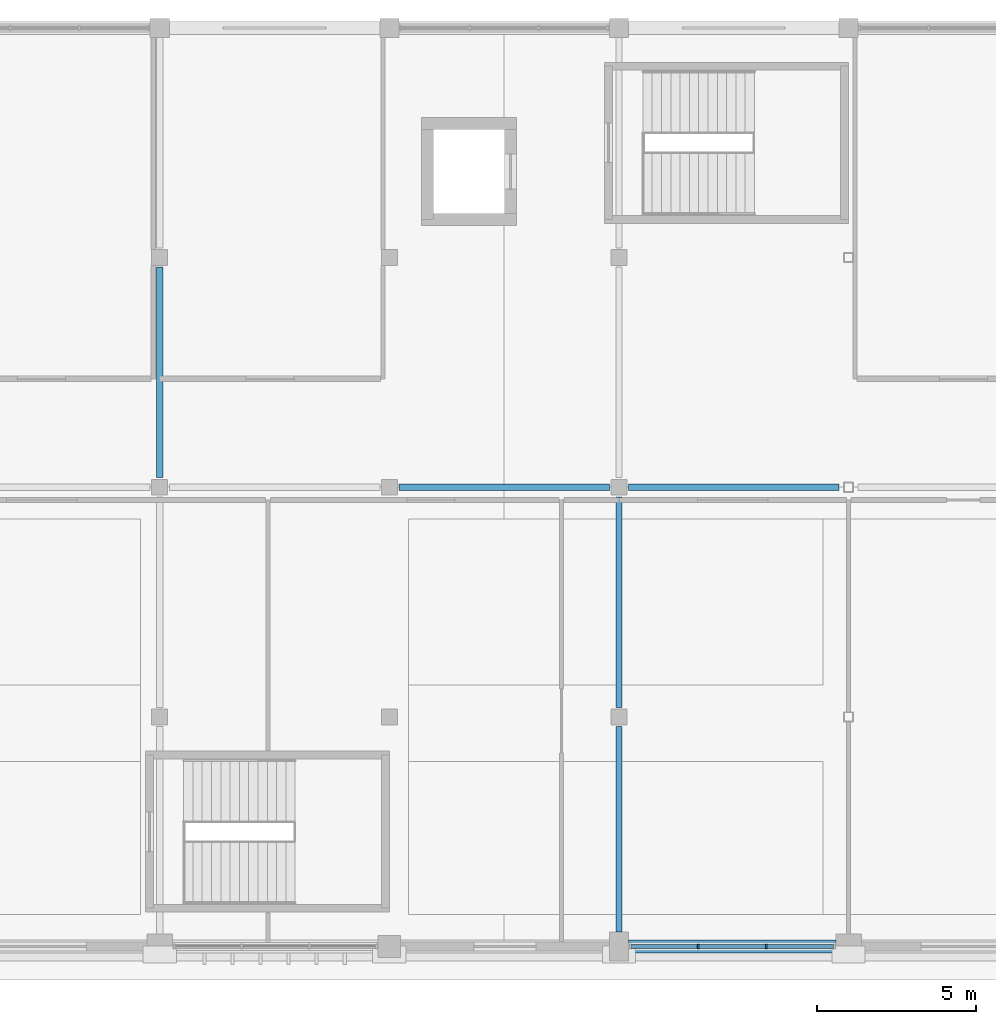
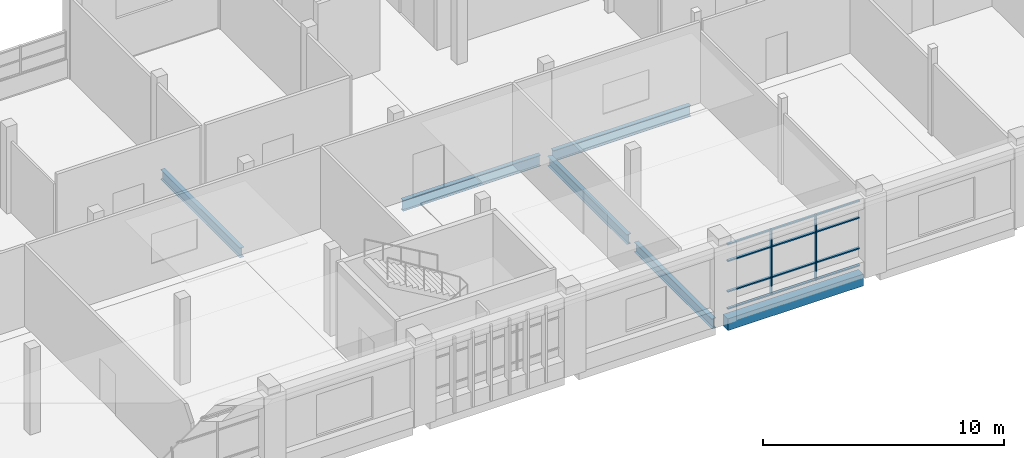
# One storey, part 13 of 71: 14 members, 6 beams, 1 element without a shape of its own.
"""IFC4 building model written with IfcOpenShell, lengths in metres."""

from ifc_helpers import new_model, si_unit, direction, frame, origin, origin_2d, place, context, subcontext, project, spatial, rectangle, i_section, extrude, material, material_profile, profile_set, type_object, element, aggregate, save


model = new_model("IFC4")

# Units and contexts
model_context = context("Model", 3, precision=1e-05, world=origin(), true_north=direction((0.0, 1.0)))
body_context = subcontext(model_context, "Body", "Model", "MODEL_VIEW")
ifc_project = project(units=[si_unit("LENGTHUNIT", "METRE"), si_unit("AREAUNIT", "SQUARE_METRE"), si_unit("VOLUMEUNIT", "CUBIC_METRE"), si_unit("PLANEANGLEUNIT", "RADIAN"), si_unit("MASSUNIT", "GRAM", prefix="KILO")], contexts=[model_context])

# Site, building, storey
site_placement = place(None, origin())
site = spatial("IfcSite", under=ifc_project, at=site_placement, CompositionType="ELEMENT")
building_placement = place(site_placement, origin())
building = spatial("IfcBuilding", under=site, at=building_placement, Name="Sardonyx Promenade Sports Hall", CompositionType="ELEMENT")
storey_placement = place(building_placement, frame((0.0, 0.0, 16.0)))
storey = spatial("IfcBuildingStorey", under=building, at=storey_placement, Name="L03", CompositionType="ELEMENT", Elevation=16.0)

# Beams
ifc_material_1 = material(Name="Steel S355JR", Category="steel")
ifc_material_profile_1 = material_profile(ifc_material_1, i_section(OverallWidth=0.199951171875, OverallDepth=0.5, WebThickness=0.01025390625, FlangeThickness=0.01611328125, at=origin_2d()))
ifc_profile_set_1 = profile_set([ifc_material_profile_1], Name="Steel S355JR")
beam_type_1 = type_object("IfcBeamType", Name="Bm_Primary_IPE500", PredefinedType="BEAM", material=ifc_profile_set_1)
beam_1_placement = place(storey_placement, frame((43.199951171875, 14.699951171875, -0.52001953125), z_axis=(0.0, 1.0, 0.0), x_axis=(-1.0, 0.0, 0.0)))
element("IfcBeam", 1, at=beam_1_placement, inside=storey, type_object=beam_type_1, Name="Beam SB06 L03 #835", PredefinedType="BEAM", context=body_context, shape_type="SweptSolid", body=[
    extrude(i_section(OverallWidth=0.199951171875, OverallDepth=0.5, WebThickness=0.01025390625, FlangeThickness=0.01611328125, at=origin_2d()), origin(), (0.0, 0.0, 1.0), 6.60009765625),
])
beam_2_placement = place(storey_placement, frame((57.60009765625, 0.449951171875, -0.52001953125), z_axis=(0.0, 1.0, 0.0), x_axis=(-1.0, 0.0, 0.0)))
element("IfcBeam", 2, at=beam_2_placement, inside=storey, type_object=beam_type_1, Name="Beam SB06 L03 #841", PredefinedType="BEAM", context=body_context, shape_type="SweptSolid", body=[
    extrude(i_section(OverallWidth=0.199951171875, OverallDepth=0.5, WebThickness=0.01025390625, FlangeThickness=0.01611328125, at=origin_2d()), origin(), (0.0, 0.0, 1.0), 6.449951171875),
])
beam_3_placement = place(storey_placement, frame((57.60009765625, 7.5, -0.52001953125), z_axis=(0.0, 1.0, 0.0), x_axis=(-1.0, 0.0, 0.0)))
element("IfcBeam", 3, at=beam_3_placement, inside=storey, type_object=beam_type_1, Name="Beam SB06 L03 #842", PredefinedType="BEAM", context=body_context, shape_type="SweptSolid", body=[
    extrude(i_section(OverallWidth=0.199951171875, OverallDepth=0.5, WebThickness=0.01025390625, FlangeThickness=0.01611328125, at=origin_2d()), origin(), (0.0, 0.0, 1.0), 6.60009765625),
])
ifc_material_2 = material(Name="Steel S355JR", Category="steel")
ifc_material_profile_2 = material_profile(ifc_material_2, i_section(OverallWidth=0.2099609375, OverallDepth=0.550048828125, WebThickness=0.010986328125, FlangeThickness=0.01708984375, at=origin_2d()))
ifc_profile_set_2 = profile_set([ifc_material_profile_2], Name="Steel S355JR")
beam_type_2 = type_object("IfcBeamType", Name="Bm_Primary_IPE550", PredefinedType="BEAM", material=ifc_profile_set_2)
for number, where, z_axis, x_axis, name in (
    (4, (50.699951171875, 14.39990234375, -0.544921875), (1.0, 0.0, 0.0), (0.0, 1.0, 0.0), "Beam SB03 L03 #736"),
    (5, (57.89990234375, 14.39990234375, -0.544921875), (1.0, 0.0, 0.0), (0.0, 1.0, 0.0), "Beam SB03 L03 #737"),
):
    element("IfcBeam", number, at=place(storey_placement, frame(where, z_axis=z_axis, x_axis=x_axis)), inside=storey, type_object=beam_type_2, Name=name, PredefinedType="BEAM", context=body_context, shape_type="SweptSolid", body=[
        extrude(i_section(OverallWidth=0.2099609375, OverallDepth=0.550048828125, WebThickness=0.010986328125, FlangeThickness=0.01708984375, at=origin_2d()), origin(), (0.0, 0.0, 1.0), 6.60009765625),
    ])
ifc_material_3 = material(Name="Concrete C40/50", Category="concrete")
ifc_material_profile_3 = material_profile(ifc_material_3, rectangle(XDim=0.39990234375, YDim=0.60009765625, at=origin_2d()))
ifc_profile_set_3 = profile_set([ifc_material_profile_3], Name="Concrete C40/50")
beam_type_3 = type_object("IfcBeamType", Name="Bm_Spandrel_RC600", PredefinedType="SPANDREL", material=ifc_profile_set_3)
beam_4_placement = place(storey_placement, frame((57.89990234375, 0.0, -0.300048828125), z_axis=(1.0, 0.0, 0.0), x_axis=(0.0, 1.0, 0.0)))
element("IfcBeam", 6, at=beam_4_placement, inside=storey, type_object=beam_type_3, Name="Beam SPB1 L03 #714", PredefinedType="SPANDREL", context=body_context, shape_type="SweptSolid", body=[
    extrude(rectangle(XDim=0.39990234375, YDim=0.60009765625, at=origin_2d()), origin(), (0.0, 0.0, 1.0), 6.5),
])

# Curtain wall, members
ifc_material_4 = material(Name="Aluminium 6063-T6", Category="aluminium")
curtain_wall_type = type_object("IfcCurtainWallType", Name="CW_South_L03_640", PredefinedType="USERDEFINED", material=ifc_material_4)
curtain_wall_placement = place(storey_placement, origin())
curtain_wall = element("IfcCurtainWall", 7, at=curtain_wall_placement, inside=storey, type_object=curtain_wall_type, Name="Curtain wall CW14 cw:L03:044", ObjectType="CURTAIN WALL", PredefinedType="USERDEFINED")
ifc_material_5 = material(Name="Aluminium 6063-T6", Category="aluminium")
ifc_material_profile_4 = material_profile(ifc_material_5, rectangle(XDim=0.06005859375, YDim=0.14990234375, at=origin_2d()))
ifc_profile_set_4 = profile_set([ifc_material_profile_4], Name="Aluminium 6063-T6")
member_type_1 = type_object("IfcMemberType", Name="CW_Mull_150", PredefinedType="MULLION", material=ifc_profile_set_4)
member_1_placement = place(storey_placement, frame((62.216552734375, 0.0, 0.35009765625), z_axis=(0.0, 0.0, 1.0), x_axis=(-1.0, 0.0, 0.0)))
member_1 = element("IfcMember", 8, at=member_1_placement, type_object=member_type_1, Name="Mullion CM01 cw:L03:044 #2", PredefinedType="MULLION", context=body_context, shape_type="SweptSolid", body=[
    extrude(rectangle(XDim=0.06005859375, YDim=0.14990234375, at=origin_2d()), origin(), (0.0, 0.0, 1.0), 3.324951171875),
])
member_2_placement = place(storey_placement, frame((60.083251953125, 0.0, 0.35009765625), z_axis=(0.0, 0.0, 1.0), x_axis=(-1.0, 0.0, 0.0)))
member_2 = element("IfcMember", 9, at=member_2_placement, type_object=member_type_1, Name="Mullion CM01 cw:L03:044 #3", PredefinedType="MULLION", context=body_context, shape_type="SweptSolid", body=[
    extrude(rectangle(XDim=0.06005859375, YDim=0.14990234375, at=origin_2d()), origin(), (0.0, 0.0, 1.0), 3.324951171875),
])
ifc_material_6 = material(Name="Aluminium 6063-T6", Category="aluminium")
ifc_material_profile_5 = material_profile(ifc_material_6, rectangle(XDim=0.06005859375, YDim=0.1201171875, at=origin_2d()))
ifc_profile_set_5 = profile_set([ifc_material_profile_5], Name="Aluminium 6063-T6")
member_type_2 = type_object("IfcMemberType", Name="CW_Tran_120", PredefinedType="USERDEFINED", material=ifc_profile_set_5)
member_3_placement = place(storey_placement, frame((64.320068359375, 0.0, 0.3798828125), z_axis=(-1.0, 0.0, 0.0), x_axis=(0.0, 0.0, 1.0)))
member_3 = element("IfcMember", 10, at=member_3_placement, type_object=member_type_2, Name="Transom CT01 cw:L03:044 #1", ObjectType="TRANSOM", PredefinedType="USERDEFINED", context=body_context, shape_type="SweptSolid", body=[
    extrude(rectangle(XDim=0.06005859375, YDim=0.1201171875, at=origin_2d()), origin(), (0.0, 0.0, 1.0), 2.073486328125),
])
member_4_placement = place(storey_placement, frame((64.320068359375, 0.0, 1.25), z_axis=(-1.0, 0.0, 0.0), x_axis=(0.0, 0.0, 1.0)))
member_4 = element("IfcMember", 11, at=member_4_placement, type_object=member_type_2, Name="Transom CT01 cw:L03:044 #2", ObjectType="TRANSOM", PredefinedType="USERDEFINED", context=body_context, shape_type="SweptSolid", body=[
    extrude(rectangle(XDim=0.06005859375, YDim=0.1201171875, at=origin_2d()), origin(), (0.0, 0.0, 1.0), 2.073486328125),
])
member_5_placement = place(storey_placement, frame((64.320068359375, 0.0, 2.800048828125), z_axis=(-1.0, 0.0, 0.0), x_axis=(0.0, 0.0, 1.0)))
member_5 = element("IfcMember", 12, at=member_5_placement, type_object=member_type_2, Name="Transom CT01 cw:L03:044 #3", ObjectType="TRANSOM", PredefinedType="USERDEFINED", context=body_context, shape_type="SweptSolid", body=[
    extrude(rectangle(XDim=0.06005859375, YDim=0.1201171875, at=origin_2d()), origin(), (0.0, 0.0, 1.0), 2.073486328125),
])
member_6_placement = place(storey_placement, frame((64.320068359375, 0.0, 3.64501953125), z_axis=(-1.0, 0.0, 0.0), x_axis=(0.0, 0.0, 1.0)))
member_6 = element("IfcMember", 13, at=member_6_placement, type_object=member_type_2, Name="Transom CT01 cw:L03:044 #4", ObjectType="TRANSOM", PredefinedType="USERDEFINED", context=body_context, shape_type="SweptSolid", body=[
    extrude(rectangle(XDim=0.06005859375, YDim=0.1201171875, at=origin_2d()), origin(), (0.0, 0.0, 1.0), 2.073486328125),
])
member_7_placement = place(storey_placement, frame((62.186767578125, 0.0, 0.3798828125), z_axis=(-1.0, 0.0, 0.0), x_axis=(0.0, 0.0, 1.0)))
member_7 = element("IfcMember", 14, at=member_7_placement, type_object=member_type_2, Name="Transom CT01 cw:L03:044 #5", ObjectType="TRANSOM", PredefinedType="USERDEFINED", context=body_context, shape_type="SweptSolid", body=[
    extrude(rectangle(XDim=0.06005859375, YDim=0.1201171875, at=origin_2d()), origin(), (0.0, 0.0, 1.0), 2.073486328125),
])
member_8_placement = place(storey_placement, frame((62.186767578125, 0.0, 1.25), z_axis=(-1.0, 0.0, 0.0), x_axis=(0.0, 0.0, 1.0)))
member_8 = element("IfcMember", 15, at=member_8_placement, type_object=member_type_2, Name="Transom CT01 cw:L03:044 #6", ObjectType="TRANSOM", PredefinedType="USERDEFINED", context=body_context, shape_type="SweptSolid", body=[
    extrude(rectangle(XDim=0.06005859375, YDim=0.1201171875, at=origin_2d()), origin(), (0.0, 0.0, 1.0), 2.073486328125),
])
member_9_placement = place(storey_placement, frame((62.186767578125, 0.0, 2.800048828125), z_axis=(-1.0, 0.0, 0.0), x_axis=(0.0, 0.0, 1.0)))
member_9 = element("IfcMember", 16, at=member_9_placement, type_object=member_type_2, Name="Transom CT01 cw:L03:044 #7", ObjectType="TRANSOM", PredefinedType="USERDEFINED", context=body_context, shape_type="SweptSolid", body=[
    extrude(rectangle(XDim=0.06005859375, YDim=0.1201171875, at=origin_2d()), origin(), (0.0, 0.0, 1.0), 2.073486328125),
])
member_10_placement = place(storey_placement, frame((62.186767578125, 0.0, 3.64501953125), z_axis=(-1.0, 0.0, 0.0), x_axis=(0.0, 0.0, 1.0)))
member_10 = element("IfcMember", 17, at=member_10_placement, type_object=member_type_2, Name="Transom CT01 cw:L03:044 #8", ObjectType="TRANSOM", PredefinedType="USERDEFINED", context=body_context, shape_type="SweptSolid", body=[
    extrude(rectangle(XDim=0.06005859375, YDim=0.1201171875, at=origin_2d()), origin(), (0.0, 0.0, 1.0), 2.073486328125),
])
member_11_placement = place(storey_placement, frame((60.05322265625, 0.0, 0.3798828125), z_axis=(-1.0, 0.0, 0.0), x_axis=(0.0, 0.0, 1.0)))
member_11 = element("IfcMember", 18, at=member_11_placement, type_object=member_type_2, Name="Transom CT01 cw:L03:044 #9", ObjectType="TRANSOM", PredefinedType="USERDEFINED", context=body_context, shape_type="SweptSolid", body=[
    extrude(rectangle(XDim=0.06005859375, YDim=0.1201171875, at=origin_2d()), origin(), (0.0, 0.0, 1.0), 2.0732421875),
])
member_12_placement = place(storey_placement, frame((60.05322265625, 0.0, 1.25), z_axis=(-1.0, 0.0, 0.0), x_axis=(0.0, 0.0, 1.0)))
member_12 = element("IfcMember", 19, at=member_12_placement, type_object=member_type_2, Name="Transom CT01 cw:L03:044 #10", ObjectType="TRANSOM", PredefinedType="USERDEFINED", context=body_context, shape_type="SweptSolid", body=[
    extrude(rectangle(XDim=0.06005859375, YDim=0.1201171875, at=origin_2d()), origin(), (0.0, 0.0, 1.0), 2.0732421875),
])
member_13_placement = place(storey_placement, frame((60.05322265625, 0.0, 2.800048828125), z_axis=(-1.0, 0.0, 0.0), x_axis=(0.0, 0.0, 1.0)))
member_13 = element("IfcMember", 20, at=member_13_placement, type_object=member_type_2, Name="Transom CT01 cw:L03:044 #11", ObjectType="TRANSOM", PredefinedType="USERDEFINED", context=body_context, shape_type="SweptSolid", body=[
    extrude(rectangle(XDim=0.06005859375, YDim=0.1201171875, at=origin_2d()), origin(), (0.0, 0.0, 1.0), 2.0732421875),
])
member_14_placement = place(storey_placement, frame((60.05322265625, 0.0, 3.64501953125), z_axis=(-1.0, 0.0, 0.0), x_axis=(0.0, 0.0, 1.0)))
member_14 = element("IfcMember", 21, at=member_14_placement, type_object=member_type_2, Name="Transom CT01 cw:L03:044 #12", ObjectType="TRANSOM", PredefinedType="USERDEFINED", context=body_context, shape_type="SweptSolid", body=[
    extrude(rectangle(XDim=0.06005859375, YDim=0.1201171875, at=origin_2d()), origin(), (0.0, 0.0, 1.0), 2.0732421875),
])
aggregate(curtain_wall, [member_1, member_2, member_3, member_4, member_5, member_6, member_7, member_8, member_9, member_10, member_11, member_12, member_13, member_14])

save(model, "model.ifc")
